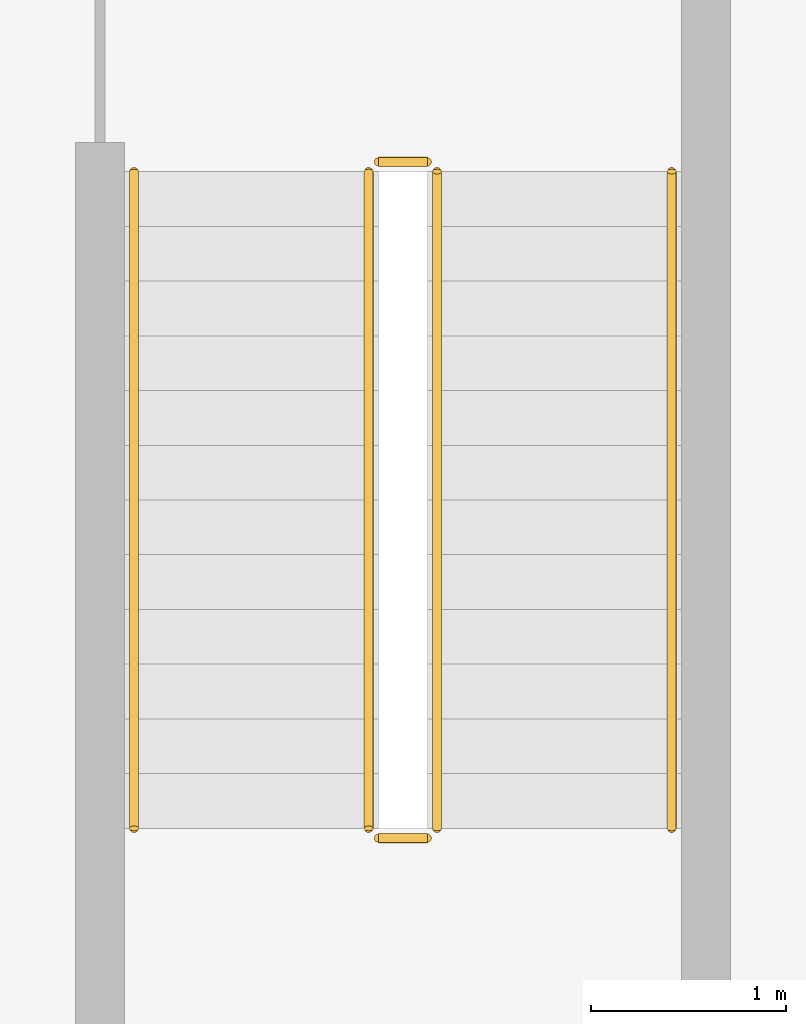
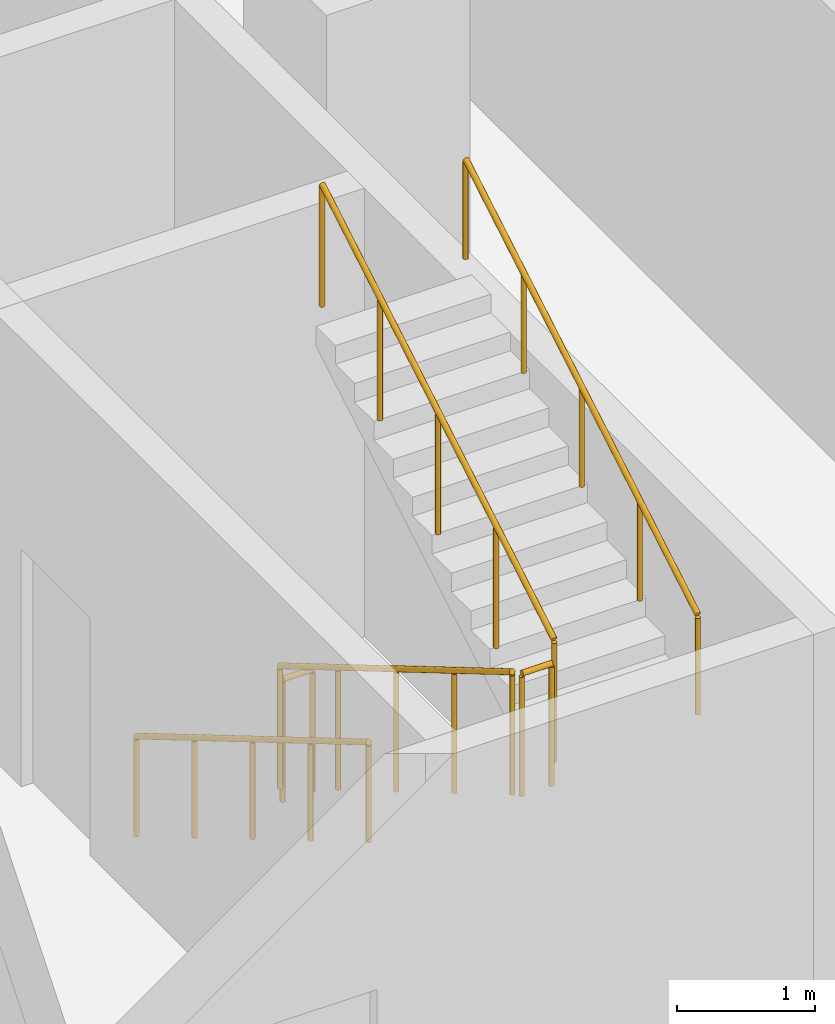
# One storey, part 22 of 26: 6 railings.
"""IFC4 building model written with IfcOpenShell, lengths in metres."""

from ifc_helpers import new_model, si_unit, direction, frame, origin, origin_2d, place, context, subcontext, project, spatial, circle, extrude, material, type_object, element, save


model = new_model("IFC4")

# Units and contexts
model_context = context("Model", 3, precision=1e-05, world=origin(), true_north=direction((0.0, 1.0)))
body_context = subcontext(model_context, "Body", "Model", "MODEL_VIEW")
ifc_project = project(units=[si_unit("LENGTHUNIT", "METRE"), si_unit("AREAUNIT", "SQUARE_METRE"), si_unit("VOLUMEUNIT", "CUBIC_METRE"), si_unit("PLANEANGLEUNIT", "RADIAN"), si_unit("MASSUNIT", "GRAM", prefix="KILO")], contexts=[model_context])

# Site, building, storey
site_placement = place(None, origin())
site = spatial("IfcSite", under=ifc_project, at=site_placement, CompositionType="ELEMENT")
building_placement = place(site_placement, origin())
building = spatial("IfcBuilding", under=site, at=building_placement, Name="Mahtab Terrace Research Tower", CompositionType="ELEMENT")
storey_placement = place(building_placement, frame((0.0, 0.0, 189.60009765625)))
storey = spatial("IfcBuildingStorey", under=building, at=storey_placement, Name="L45", CompositionType="ELEMENT", Elevation=189.60009765625)

# Railings
ifc_material = material(Name="Stainless steel AISI 304", Category="steel")
railing_type_1 = type_object("IfcRailingType", Name="Stair guard 1100", PredefinedType="GUARDRAIL", material=ifc_material)
railing_1_placement = place(storey_placement, frame((2.949951171875, -4.175048828125, 0.165283203125)))
element("IfcRailing", 1, at=railing_1_placement, inside=storey, type_object=railing_type_1, Name="L45 ST2 stair guard 1", PredefinedType="GUARDRAIL", context=body_context, shape_type="SweptSolid", body=[
    extrude(circle(Radius=0.02392578125, at=origin_2d()), frame((0.0, 0.0, 1.076171875), z_axis=(0.0, -0.861011212953, 0.508585972249), x_axis=(1.0, 0.0, 0.0)), (0.0, 0.0, 1.0), 3.90234375),
    extrude(circle(Radius=0.02099609375, at=origin_2d()), origin(), (0.0, 0.0, 1.0), 1.052001953125),
    extrude(circle(Radius=0.02099609375, at=origin_2d()), frame((0.0, -0.83984375, 0.49609375)), (0.0, 0.0, 1.0), 1.052001953125),
    extrude(circle(Radius=0.02099609375, at=origin_2d()), frame((0.0, -1.679931640625, 0.9921875)), (0.0, 0.0, 1.0), 1.052001953125),
    extrude(circle(Radius=0.02099609375, at=origin_2d()), frame((0.0, -2.52001953125, 1.488525390625)), (0.0, 0.0, 1.0), 1.052001953125),
    extrude(circle(Radius=0.02099609375, at=origin_2d()), frame((0.0, -3.35986328125, 1.984619140625)), (0.0, 0.0, 1.0), 1.052001953125),
])
railing_2_placement = place(storey_placement, frame((3.0, -7.5849609375, 2.14990234375)))
element("IfcRailing", 2, at=railing_2_placement, inside=storey, type_object=railing_type_1, Name="L45 ST2 stair guard 2", PredefinedType="GUARDRAIL", context=body_context, shape_type="SweptSolid", body=[
    extrude(circle(Radius=0.02392578125, at=origin_2d()), frame((0.0, 0.0, 1.076171875), z_axis=(1.0, 0.0, 0.0), x_axis=(0.0, 1.0, 0.0)), (0.0, 0.0, 1.0), 0.25),
    extrude(circle(Radius=0.02099609375, at=origin_2d()), origin(), (0.0, 0.0, 1.0), 1.052001953125),
    extrude(circle(Radius=0.02099609375, at=origin_2d()), frame((0.25, 0.0, 0.0)), (0.0, 0.0, 1.0), 1.052001953125),
])
railing_3_placement = place(storey_placement, frame((3.300048828125, -7.534912109375, 2.315185546875)))
element("IfcRailing", 3, at=railing_3_placement, inside=storey, type_object=railing_type_1, Name="L45 ST2 stair guard 3", PredefinedType="GUARDRAIL", context=body_context, shape_type="SweptSolid", body=[
    extrude(circle(Radius=0.02392578125, at=origin_2d()), frame((0.0, 0.0, 1.076171875), z_axis=(0.0, 0.861011212953, 0.508585972249), x_axis=(-1.0, 0.0, 0.0)), (0.0, 0.0, 1.0), 3.90234375),
    extrude(circle(Radius=0.02099609375, at=origin_2d()), origin(), (0.0, 0.0, 1.0), 1.052001953125),
    extrude(circle(Radius=0.02099609375, at=origin_2d()), frame((0.0, 0.83984375, 0.49609375)), (0.0, 0.0, 1.0), 1.052001953125),
    extrude(circle(Radius=0.02099609375, at=origin_2d()), frame((0.0, 1.679931640625, 0.9921875)), (0.0, 0.0, 1.0), 1.052001953125),
    extrude(circle(Radius=0.02099609375, at=origin_2d()), frame((0.0, 2.52001953125, 1.488525390625)), (0.0, 0.0, 1.0), 1.052001953125),
    extrude(circle(Radius=0.02099609375, at=origin_2d()), frame((0.0, 3.35986328125, 1.984619140625)), (0.0, 0.0, 1.0), 1.052001953125),
])
railing_4_placement = place(storey_placement, frame((3.0, -4.125, 0.0)))
element("IfcRailing", 4, at=railing_4_placement, inside=storey, type_object=railing_type_1, Name="L45 ST2 stair guard 4", PredefinedType="GUARDRAIL", context=body_context, shape_type="SweptSolid", body=[
    extrude(circle(Radius=0.02392578125, at=origin_2d()), frame((0.0, 0.0, 1.076171875), z_axis=(1.0, 0.0, 0.0), x_axis=(0.0, 1.0, 0.0)), (0.0, 0.0, 1.0), 0.25),
    extrude(circle(Radius=0.02099609375, at=origin_2d()), origin(), (0.0, 0.0, 1.0), 1.052001953125),
    extrude(circle(Radius=0.02099609375, at=origin_2d()), frame((0.25, 0.0, 0.0)), (0.0, 0.0, 1.0), 1.052001953125),
])
railing_type_2 = type_object("IfcRailingType", Name="Stair handrail 900", PredefinedType="HANDRAIL", material=ifc_material)
railing_5_placement = place(storey_placement, frame((1.75, -4.175048828125, 0.165283203125)))
element("IfcRailing", 5, at=railing_5_placement, inside=storey, type_object=railing_type_2, Name="L45 ST2 stair handrail 1", PredefinedType="HANDRAIL", context=body_context, shape_type="SweptSolid", body=[
    extrude(circle(Radius=0.02392578125, at=origin_2d()), frame((0.0, 0.0, 0.8759765625), z_axis=(0.0, -0.861011212953, 0.508585972249), x_axis=(1.0, 0.0, 0.0)), (0.0, 0.0, 1.0), 3.90234375),
    extrude(circle(Radius=0.02099609375, at=origin_2d()), origin(), (0.0, 0.0, 1.0), 0.851806640625),
    extrude(circle(Radius=0.02099609375, at=origin_2d()), frame((0.0, -0.83984375, 0.49609375)), (0.0, 0.0, 1.0), 0.851806640625),
    extrude(circle(Radius=0.02099609375, at=origin_2d()), frame((0.0, -1.679931640625, 0.9921875)), (0.0, 0.0, 1.0), 0.851806640625),
    extrude(circle(Radius=0.02099609375, at=origin_2d()), frame((0.0, -2.52001953125, 1.488525390625)), (0.0, 0.0, 1.0), 0.851806640625),
    extrude(circle(Radius=0.02099609375, at=origin_2d()), frame((0.0, -3.35986328125, 1.984619140625)), (0.0, 0.0, 1.0), 0.851806640625),
])
railing_6_placement = place(storey_placement, frame((4.5, -7.534912109375, 2.315185546875)))
element("IfcRailing", 6, at=railing_6_placement, inside=storey, type_object=railing_type_2, Name="L45 ST2 stair handrail 2", PredefinedType="HANDRAIL", context=body_context, shape_type="SweptSolid", body=[
    extrude(circle(Radius=0.02392578125, at=origin_2d()), frame((0.0, 0.0, 0.8759765625), z_axis=(0.0, 0.861011212953, 0.508585972249), x_axis=(-1.0, 0.0, 0.0)), (0.0, 0.0, 1.0), 3.90234375),
    extrude(circle(Radius=0.02099609375, at=origin_2d()), origin(), (0.0, 0.0, 1.0), 0.851806640625),
    extrude(circle(Radius=0.02099609375, at=origin_2d()), frame((0.0, 0.83984375, 0.49609375)), (0.0, 0.0, 1.0), 0.851806640625),
    extrude(circle(Radius=0.02099609375, at=origin_2d()), frame((0.0, 1.679931640625, 0.9921875)), (0.0, 0.0, 1.0), 0.851806640625),
    extrude(circle(Radius=0.02099609375, at=origin_2d()), frame((0.0, 2.52001953125, 1.488525390625)), (0.0, 0.0, 1.0), 0.851806640625),
    extrude(circle(Radius=0.02099609375, at=origin_2d()), frame((0.0, 3.35986328125, 1.984619140625)), (0.0, 0.0, 1.0), 0.851806640625),
])

save(model, "model.ifc")
